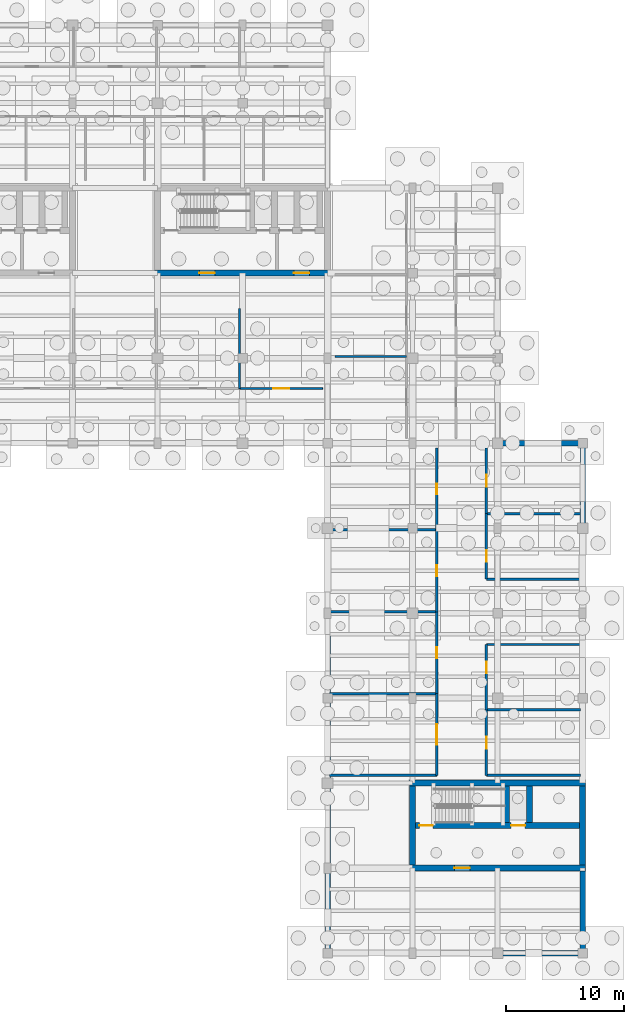
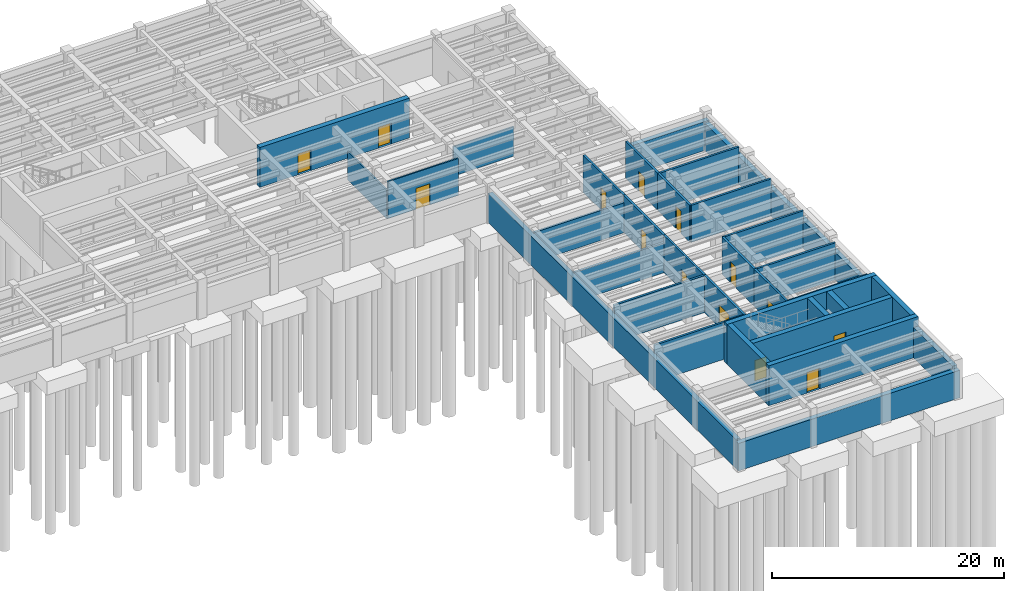
# One storey, part 15 of 22: 33 walls, 14 doors, 14 openings.
"""IFC4 building model written with IfcOpenShell, lengths in metres."""

import ifcopenshell
import ifcopenshell.guid

model = None  # the IFC model being written
_history = None  # IfcOwnerHistory: only IFC2X3 demands one
_inside = {}  # id of a spatial element -> (the spatial element, [elements in it])
_under = {}  # id of a project, library or spatial element -> (it, [spatial elements below it])
_declared = {}  # id of a project -> (the project, [libraries it declares])
_typed = {}  # id of a type object -> (the type object, [elements of that type])
_made_of = {}  # id of a material, layer set ... -> (it, [elements and type objects made of it])


def new_model(schema):
    """Start an empty IFC model of exactly this schema.

    Asked for "IFC4X3", IfcOpenShell would pick the latest addendum, in which some entities
    have other attributes; the version numbers below select the first issue.
    IFC2X3 requires an IfcOwnerHistory on every rooted entity: one is made here for all.
    """
    global model, _history
    if schema == "IFC4X3":
        model = ifcopenshell.file(schema_version=(4, 3, 0, 0))
    else:
        model = ifcopenshell.file(schema=schema)
    _inside.clear()
    _under.clear()
    _declared.clear()
    _typed.clear()
    _made_of.clear()
    _history = None
    if model.schema == "IFC2X3":
        org = make("IfcOrganization", Name="unknown")
        user = make(
            "IfcPersonAndOrganization",
            ThePerson=make("IfcPerson", FamilyName="unknown"),
            TheOrganization=org,
        )
        app = make(
            "IfcApplication",
            ApplicationDeveloper=org,
            Version="unknown",
            ApplicationFullName="unknown",
            ApplicationIdentifier="unknown",
        )
        _history = make(
            "IfcOwnerHistory",
            OwningUser=user,
            OwningApplication=app,
            ChangeAction="ADDED",
            CreationDate=0,
        )
    return model


def make(cls, **values):
    """One entity of the class cls with the attributes given. An attribute that is None is left unset."""
    return model.create_entity(
        cls, **{name: value for name, value in values.items() if value is not None}
    )


def rooted(cls, **values):
    """An entity with a GlobalId (a new one), such as an element, a storey or a relation."""
    return make(cls, GlobalId=ifcopenshell.guid.new(), OwnerHistory=_history, **values)


def si_unit(unit_type, name, prefix=None):
    """IfcSIUnit, for example si_unit("LENGTHUNIT", "METRE", prefix="MILLI")."""
    return make("IfcSIUnit", UnitType=unit_type, Prefix=prefix, Name=name)


def assignment(units):
    """IfcUnitAssignment: the units of a project."""
    return None if units is None else make("IfcUnitAssignment", Units=units)


def point(xyz):
    """IfcCartesianPoint."""
    return None if xyz is None else make("IfcCartesianPoint", Coordinates=xyz)


def direction(xyz):
    """IfcDirection."""
    return None if xyz is None else make("IfcDirection", DirectionRatios=xyz)


def frame(location, z_axis=None, x_axis=None):
    """IfcAxis2Placement3D, a coordinate frame: its origin and axes. An axis left out is left unset."""
    return make(
        "IfcAxis2Placement3D",
        Location=point(location),
        Axis=direction(z_axis),
        RefDirection=direction(x_axis),
    )


def frame_2d(location, x_axis=None):
    """IfcAxis2Placement2D, a coordinate frame in the plane: its origin and x axis."""
    return make(
        "IfcAxis2Placement2D", Location=point(location), RefDirection=direction(x_axis)
    )


def origin():
    """The frame at (0, 0, 0) with its axes left unset."""
    return frame((0.0, 0.0, 0.0))


def place(relative_to, where):
    """IfcLocalPlacement: puts the frame where relative to a parent placement (None: the world)."""
    return make(
        "IfcLocalPlacement", PlacementRelTo=relative_to, RelativePlacement=where
    )


def context(
    kind, dimensions, precision=None, world=None, true_north=None, identifier=None
):
    """IfcGeometricRepresentationContext, for example the 3D "Model" context."""
    return make(
        "IfcGeometricRepresentationContext",
        ContextIdentifier=identifier,
        ContextType=kind,
        CoordinateSpaceDimension=dimensions,
        Precision=precision,
        WorldCoordinateSystem=world,
        TrueNorth=true_north,
    )


def subcontext(parent, identifier, kind, view, scale=None):
    """IfcGeometricRepresentationSubContext, for example "Body" below "Model"."""
    return make(
        "IfcGeometricRepresentationSubContext",
        ContextIdentifier=identifier,
        ContextType=kind,
        ParentContext=parent,
        TargetScale=scale,
        TargetView=view,
    )


def project(units=None, contexts=None):
    """IfcProject with its units and contexts."""
    return rooted(
        "IfcProject",
        Name="project",
        RepresentationContexts=contexts,
        UnitsInContext=assignment(units),
    )


def spatial(cls, under=None, at=None, **own):
    """A site, building, storey or space (cls), placed at a placement, below another one or the project."""
    s = rooted(cls, ObjectPlacement=at, **own)
    if under is not None:
        _under.setdefault(under.id(), (under, []))[1].append(s)
    return s


def profile(cls, at=None, kind="AREA", **sizes):
    """A parametric profile (cls). Its sizes go by their IFC names, for example OverallWidth=200.0."""
    return make(cls, ProfileType=kind, Position=at, **sizes)


def rectangle(**sizes):
    """IfcRectangleProfileDef."""
    return profile("IfcRectangleProfileDef", **sizes)


def extrude(swept, where, along, depth):
    """IfcExtrudedAreaSolid: the profile swept, set in the frame where, extruded along a direction by depth."""
    return make(
        "IfcExtrudedAreaSolid",
        SweptArea=swept,
        Position=where,
        ExtrudedDirection=direction(along),
        Depth=depth,
    )


def shape(context_of_items, identifier, shape_type, items):
    """IfcShapeRepresentation: the items that make up one representation, for example the "Body"."""
    return make(
        "IfcShapeRepresentation",
        ContextOfItems=context_of_items,
        RepresentationIdentifier=identifier,
        RepresentationType=shape_type,
        Items=items,
    )


def material(Name=None, Category=None):
    """IfcMaterial."""
    return make("IfcMaterial", Name=Name, Category=Category)


def layer(
    of_material, thickness, ventilated=None, Name=None, Category=None, Priority=None
):
    """IfcMaterialLayer: one layer of a wall or slab, of a material (None: an air gap)."""
    return make(
        "IfcMaterialLayer",
        Material=of_material,
        LayerThickness=thickness,
        IsVentilated=ventilated,
        Name=Name,
        Category=Category,
        Priority=Priority,
    )


def layer_set(layers, Name=None):
    """IfcMaterialLayerSet."""
    return make("IfcMaterialLayerSet", MaterialLayers=layers, LayerSetName=Name)


def made_of(thing, what):
    """Note that an element or type object is made of a material, layer set ...; save() writes the relation."""
    if what is not None:
        _made_of.setdefault(what.id(), (what, []))[1].append(thing)
    return thing


def type_object(cls, material=None, **own):
    """A type object (cls), such as IfcWallType, which elements share."""
    return made_of(rooted(cls, **own), material)


def element(
    cls,
    number,
    at=None,
    inside=None,
    cuts=None,
    type_object=None,
    material=None,
    context=None,
    identifier="Body",
    shape_type=None,
    held_by="IfcProductDefinitionShape",
    body=None,
    shapes=None,
    **own,
):
    """One element of the class cls, such as IfcWall. Its Tag is "e" and its number.

    at: its placement. inside: the storey or other place that contains it. cuts: it is an
    opening in that element (IfcRelVoidsElement). A single representation is given by context,
    identifier, shape_type and body (its items); several are given by shapes. held_by: the class
    of the entity that holds the representations. save() writes the other relations.
    """
    e = rooted(cls, Tag="e%d" % number, ObjectPlacement=at, **own)
    if body is not None:
        shapes = [shape(context, identifier, shape_type, body)]
    if shapes is not None:
        e.Representation = make(held_by, Representations=shapes)
    if inside is not None:
        _inside.setdefault(inside.id(), (inside, []))[1].append(e)
    if cuts is not None:
        rooted(
            "IfcRelVoidsElement", RelatingBuildingElement=cuts, RelatedOpeningElement=e
        )
    if type_object is not None:
        _typed.setdefault(type_object.id(), (type_object, []))[1].append(e)
    return made_of(e, material)


def fill(opening, filler):
    """IfcRelFillsElement: the door or window that sits in an opening."""
    return rooted(
        "IfcRelFillsElement",
        RelatingOpeningElement=opening,
        RelatedBuildingElement=filler,
    )


def aggregate(whole, parts):
    """IfcRelAggregates: a whole, such as a stair, and the parts it consists of."""
    return rooted("IfcRelAggregates", RelatingObject=whole, RelatedObjects=parts)


def save(model, path):
    """Write the relations noted so far, then the file.

    IfcRelAggregates (storeys below a building ...), IfcRelContainedInSpatialStructure (elements
    in a storey), IfcRelDefinesByType, IfcRelAssociatesMaterial and IfcRelDeclares: one each for
    every whole, place, type object, material and project.
    """
    for whole, parts in _under.values():
        aggregate(whole, parts)
    for where, things in _inside.values():
        rooted(
            "IfcRelContainedInSpatialStructure",
            RelatedElements=things,
            RelatingStructure=where,
        )
    for kind, things in _typed.values():
        rooted("IfcRelDefinesByType", RelatedObjects=things, RelatingType=kind)
    for what, things in _made_of.values():
        rooted("IfcRelAssociatesMaterial", RelatedObjects=things, RelatingMaterial=what)
    for by, libraries in _declared.values():
        rooted("IfcRelDeclares", RelatingContext=by, RelatedDefinitions=libraries)
    model.write(path)


model = new_model("IFC4")

# Units and contexts
model_context = context("Model", 3, precision=1e-05, world=origin(), true_north=direction((0.0, 1.0)))
body_context = subcontext(model_context, "Body", "Model", "MODEL_VIEW")
ifc_project = project(units=[si_unit("LENGTHUNIT", "METRE"), si_unit("AREAUNIT", "SQUARE_METRE"), si_unit("VOLUMEUNIT", "CUBIC_METRE"), si_unit("PLANEANGLEUNIT", "RADIAN"), si_unit("MASSUNIT", "GRAM", prefix="KILO")], contexts=[model_context])

# Site, building, storey
site_placement = place(None, origin())
site = spatial("IfcSite", under=ifc_project, at=site_placement, CompositionType="ELEMENT")
building_placement = place(site_placement, origin())
building = spatial("IfcBuilding", under=site, at=building_placement, Name="Mithqara Police Headquarters", CompositionType="ELEMENT")
storey_placement = place(building_placement, frame((0.0, 0.0, -8.39990234375)))
storey = spatial("IfcBuildingStorey", under=building, at=storey_placement, Name="B2", CompositionType="ELEMENT", Elevation=-8.39990234375)

# Wall
ifc_material_1 = material(Name="Gypsum acoustic stud partition", Category="gypsum")
ifc_layer_1 = layer(ifc_material_1, 0.139892578125, Name="Gypsum acoustic stud partition")
ifc_layer_set_1 = layer_set([ifc_layer_1], Name="Gypsum acoustic stud partition")
wall_type_1 = type_object("IfcWallType", Name="PART WALL 140", PredefinedType="PARTITIONING", material=ifc_layer_set_1)
wall_1_placement = place(storey_placement, frame((137.14794921875, 83.219970703125, 0.0), z_axis=(0.0, 0.0, 1.0), x_axis=(0.0, 1.0, 0.0)))
element("IfcWall", 1, at=wall_1_placement, inside=storey, type_object=wall_type_1, Name="B2 Room Partition Standby UPS Battery Room", PredefinedType="PARTITIONING", context=body_context, shape_type="SweptSolid", body=[
    extrude(rectangle(XDim=6.780029296875, YDim=0.139892578125, at=frame_2d((3.39013671875, 0.0))), origin(), (0.0, 0.0, 1.0), 3.0),
])

# Wall, opening, door
wall_2_placement = place(storey_placement, frame((137.14794921875, 83.219970703125, 0.0), z_axis=(0.0, 0.0, 1.0), x_axis=(1.0, 0.0, 0.0)))
wall_2 = element("IfcWall", 2, at=wall_2_placement, inside=storey, type_object=wall_type_1, Name="B2 Corridor Wall Chiller Plant Room", PredefinedType="PARTITIONING", context=body_context, shape_type="SweptSolid", body=[
    extrude(rectangle(XDim=7.031982421875, YDim=0.139892578125, at=frame_2d((3.51611328125, 0.0))), origin(), (0.0, 0.0, 1.0), 3.89990234375),
])
opening_1_placement = place(wall_2_placement, frame((2.8359375, 0.0, 0.0)))
opening_1 = element("IfcOpeningElement", 3, at=opening_1_placement, cuts=wall_2, Name="Opening D-17", PredefinedType="OPENING", context=body_context, shape_type="SweptSolid", body=[
    extrude(rectangle(XDim=1.360107421875, YDim=2.219970703125, at=frame_2d((0.68017578125, 1.10986328125))), frame((0.0, 0.080078125, 0.0), z_axis=(0.0, -1.0, 0.0), x_axis=(1.0, 0.0, 0.0)), (0.0, 0.0, 1.0), 0.159912109375),
])
ifc_material_2 = material(Name="Bronze anodised aluminium 6063-T6", Category="aluminium")
door_type_1 = type_object("IfcDoorType", Name="INT DOOR 1360X2220", OperationType="NOTDEFINED", PredefinedType="DOOR", material=ifc_material_2)
door_1_placement = place(opening_1_placement, origin())
door_1 = element("IfcDoor", 4, at=door_1_placement, inside=storey, type_object=door_type_1, Name="Chiller Plant Room Entry Door", OperationType="SINGLE_SWING_RIGHT", OverallHeight=2.219970703125, OverallWidth=1.360107421875, PredefinedType="DOOR", context=body_context, shape_type="SweptSolid", body=[
    extrude(rectangle(XDim=1.360107421875, YDim=2.219970703125, at=frame_2d((0.68017578125, 1.10986328125))), frame((0.0, 0.02490234375, 0.0), z_axis=(0.0, -1.0, 0.0), x_axis=(1.0, 0.0, 0.0)), (0.0, 0.0, 1.0), 0.050048828125),
])
fill(opening_1, door_1)

# Walls
wall_3_placement = place(storey_placement, frame((145.25, 85.93994140625, 0.0), z_axis=(0.0, 0.0, 1.0), x_axis=(1.0, 0.0, 0.0)))
element("IfcWall", 5, at=wall_3_placement, inside=storey, type_object=wall_type_1, Name="B2 Room Partition Emergency Generator Plant", PredefinedType="PARTITIONING", context=body_context, shape_type="SweptSolid", body=[
    extrude(rectangle(XDim=6.030029296875, YDim=0.139892578125, at=frame_2d((3.01513671875, 0.0))), origin(), (0.0, 0.0, 1.0), 3.099853515625),
])
ifc_material_3 = material(Name="Concrete C40/50", Category="concrete")
ifc_layer_2 = layer(ifc_material_3, 0.2099609375, Name="Concrete C40/50")
ifc_layer_set_2 = layer_set([ifc_layer_2], Name="Concrete C40/50")
wall_type_2 = type_object("IfcWallType", Name="PART WALL 210", PredefinedType="PARTITIONING", material=ifc_layer_set_2)
wall_4_placement = place(storey_placement, frame((144.780029296875, 50.449951171875, 0.0), z_axis=(0.0, 0.0, 1.0), x_axis=(1.0, 0.0, 0.0)))
element("IfcWall", 6, at=wall_4_placement, inside=storey, type_object=wall_type_2, Name="B2 Partition End Closure E0", PredefinedType="PARTITIONING", context=body_context, shape_type="SweptSolid", body=[
    extrude(rectangle(XDim=9.070068359375, YDim=0.2099609375, at=frame_2d((4.53515625, 0.0))), origin(), (0.0, 0.0, 1.0), 3.89990234375),
])

# Wall, opening, door
wall_5_placement = place(storey_placement, frame((153.85009765625, 50.449951171875, 0.0), z_axis=(0.0, 0.0, 1.0), x_axis=(0.0, 1.0, 0.0)))
wall_5 = element("IfcWall", 7, at=wall_5_placement, inside=storey, type_object=wall_type_2, Name="B2 Corridor Wall Evidence Archive Vault", PredefinedType="PARTITIONING", context=body_context, shape_type="SweptSolid", body=[
    extrude(rectangle(XDim=6.93310546875, YDim=0.2099609375, at=frame_2d((3.466552734375, 0.0))), origin(), (0.0, 0.0, 1.0), 3.89990234375),
])
opening_2_placement = place(wall_5_placement, frame((2.6064453125, 0.0, 0.0)))
opening_2 = element("IfcOpeningElement", 8, at=opening_2_placement, cuts=wall_5, Name="Opening D-24", PredefinedType="OPENING", context=body_context, shape_type="SweptSolid", body=[
    extrude(rectangle(XDim=1.719970703125, YDim=2.35009765625, at=frame_2d((0.85986328125, 1.175048828125))), frame((0.0, 0.114990234375, 0.0), z_axis=(0.0, -1.0, 0.0), x_axis=(1.0, 0.0, 0.0)), (0.0, 0.0, 1.0), 0.22998046875),
])
door_type_2 = type_object("IfcDoorType", Name="INT DOOR 1720X2350", OperationType="NOTDEFINED", PredefinedType="DOOR", material=ifc_material_2)
door_2_placement = place(opening_2_placement, frame((1.719970703125, 0.0, 0.0), z_axis=(0.0, 0.0, 1.0), x_axis=(-1.0, 0.0, 0.0)))
door_2 = element("IfcDoor", 9, at=door_2_placement, inside=storey, type_object=door_type_2, Name="Evidence Archive Vault Entry Door", OperationType="DOUBLE_DOOR_SINGLE_SWING", OverallHeight=2.35009765625, OverallWidth=1.719970703125, PredefinedType="DOOR", context=body_context, shape_type="SweptSolid", body=[
    extrude(rectangle(XDim=1.719970703125, YDim=2.35009765625, at=frame_2d((0.85986328125, 1.175048828125))), frame((0.0, 0.02490234375, 0.0), z_axis=(0.0, -1.0, 0.0), x_axis=(1.0, 0.0, 0.0)), (0.0, 0.0, 1.0), 0.050048828125),
])
fill(opening_2, door_2)

# Wall
wall_6_placement = place(storey_placement, frame((144.780029296875, 57.383056640625, 0.0), z_axis=(0.0, 0.0, 1.0), x_axis=(1.0, 0.0, 0.0)))
element("IfcWall", 10, at=wall_6_placement, inside=storey, type_object=wall_type_2, Name="B2 Room Partition Evidence Archive Vault", PredefinedType="PARTITIONING", context=body_context, shape_type="SweptSolid", body=[
    extrude(rectangle(XDim=9.070068359375, YDim=0.2099609375, at=frame_2d((4.53515625, 0.0))), origin(), (0.0, 0.0, 1.0), 3.89990234375),
])

# Wall, opening, door
wall_7_placement = place(storey_placement, frame((153.85009765625, 57.383056640625, 0.0), z_axis=(0.0, 0.0, 1.0), x_axis=(0.0, 1.0, 0.0)))
wall_7 = element("IfcWall", 11, at=wall_7_placement, inside=storey, type_object=wall_type_2, Name="B2 Corridor Wall Forensic Chemical Bulk Store", PredefinedType="PARTITIONING", context=body_context, shape_type="SweptSolid", body=[
    extrude(rectangle(XDim=6.931884765625, YDim=0.2099609375, at=frame_2d((3.4658203125, 0.0))), origin(), (0.0, 0.0, 1.0), 3.89990234375),
])
opening_3_placement = place(wall_7_placement, frame((3.006103515625, 0.0, 0.0)))
opening_3 = element("IfcOpeningElement", 12, at=opening_3_placement, cuts=wall_7, Name="Opening D-01", PredefinedType="OPENING", context=body_context, shape_type="SweptSolid", body=[
    extrude(rectangle(XDim=0.919921875, YDim=2.10009765625, at=frame_2d((0.4599609375, 1.050048828125))), frame((0.0, 0.114990234375, 0.0), z_axis=(0.0, -1.0, 0.0), x_axis=(1.0, 0.0, 0.0)), (0.0, 0.0, 1.0), 0.22998046875),
])
ifc_material_4 = material(Name="Acoustic solid-core timber leaf", Category="wood")
door_type_3 = type_object("IfcDoorType", Name="INT DOOR 920X2100", OperationType="NOTDEFINED", PredefinedType="DOOR", material=ifc_material_4)
door_3_placement = place(opening_3_placement, frame((0.919921875, 0.0, 0.0), z_axis=(0.0, 0.0, 1.0), x_axis=(-1.0, 0.0, 0.0)))
door_3 = element("IfcDoor", 13, at=door_3_placement, inside=storey, type_object=door_type_3, Name="Forensic Chemical Bulk Store Entry Door", OperationType="SINGLE_SWING_RIGHT", OverallHeight=2.10009765625, OverallWidth=0.919921875, PredefinedType="DOOR", context=body_context, shape_type="SweptSolid", body=[
    extrude(rectangle(XDim=0.919921875, YDim=2.10009765625, at=frame_2d((0.4599609375, 1.050048828125))), frame((0.0, 0.02490234375, 0.0), z_axis=(0.0, -1.0, 0.0), x_axis=(1.0, 0.0, 0.0)), (0.0, 0.0, 1.0), 0.050048828125),
])
fill(opening_3, door_3)

# Wall
wall_8_placement = place(storey_placement, frame((144.780029296875, 64.31494140625, 0.0), z_axis=(0.0, 0.0, 1.0), x_axis=(1.0, 0.0, 0.0)))
element("IfcWall", 14, at=wall_8_placement, inside=storey, type_object=wall_type_2, Name="B2 Room Partition Forensic Chemical Bulk Store", PredefinedType="PARTITIONING", context=body_context, shape_type="SweptSolid", body=[
    extrude(rectangle(XDim=9.070068359375, YDim=0.2099609375, at=frame_2d((4.53515625, 0.0))), origin(), (0.0, 0.0, 1.0), 3.14990234375),
])

# Wall, opening, door
wall_9_placement = place(storey_placement, frame((153.85009765625, 64.31494140625, 0.0), z_axis=(0.0, 0.0, 1.0), x_axis=(0.0, 1.0, 0.0)))
wall_9 = element("IfcWall", 15, at=wall_9_placement, inside=storey, type_object=wall_type_2, Name="B2 Corridor Wall Laboratory Gas Cylinder Room", PredefinedType="PARTITIONING", context=body_context, shape_type="SweptSolid", body=[
    extrude(rectangle(XDim=6.93310546875, YDim=0.2099609375, at=frame_2d((3.466552734375, 0.0))), origin(), (0.0, 0.0, 1.0), 3.89990234375),
])
opening_4_placement = place(wall_9_placement, frame((3.006591796875, 0.0, 0.0)))
opening_4 = element("IfcOpeningElement", 16, at=opening_4_placement, cuts=wall_9, Name="Opening D-02", PredefinedType="OPENING", context=body_context, shape_type="SweptSolid", body=[
    extrude(rectangle(XDim=0.919921875, YDim=2.219970703125, at=frame_2d((0.4599609375, 1.10986328125))), frame((0.0, 0.114990234375, 0.0), z_axis=(0.0, -1.0, 0.0), x_axis=(1.0, 0.0, 0.0)), (0.0, 0.0, 1.0), 0.22998046875),
])
door_type_4 = type_object("IfcDoorType", Name="INT DOOR 920X2220", OperationType="NOTDEFINED", PredefinedType="DOOR", material=ifc_material_4)
door_4_placement = place(opening_4_placement, frame((0.919921875, 0.0, 0.0), z_axis=(0.0, 0.0, 1.0), x_axis=(-1.0, 0.0, 0.0)))
door_4 = element("IfcDoor", 17, at=door_4_placement, inside=storey, type_object=door_type_4, Name="Laboratory Gas Cylinder Room Entry Door", OperationType="SINGLE_SWING_LEFT", OverallHeight=2.219970703125, OverallWidth=0.919921875, PredefinedType="DOOR", context=body_context, shape_type="SweptSolid", body=[
    extrude(rectangle(XDim=0.919921875, YDim=2.219970703125, at=frame_2d((0.4599609375, 1.10986328125))), frame((0.0, 0.02490234375, 0.0), z_axis=(0.0, -1.0, 0.0), x_axis=(1.0, 0.0, 0.0)), (0.0, 0.0, 1.0), 0.050048828125),
])
fill(opening_4, door_4)

# Wall
wall_10_placement = place(storey_placement, frame((144.780029296875, 71.248046875, 0.0), z_axis=(0.0, 0.0, 1.0), x_axis=(1.0, 0.0, 0.0)))
element("IfcWall", 18, at=wall_10_placement, inside=storey, type_object=wall_type_2, Name="B2 Room Partition Laboratory Gas Cylinder Room", PredefinedType="PARTITIONING", context=body_context, shape_type="SweptSolid", body=[
    extrude(rectangle(XDim=9.070068359375, YDim=0.2099609375, at=frame_2d((4.53515625, 0.0))), origin(), (0.0, 0.0, 1.0), 3.14990234375),
])

# Wall, opening, door
wall_11_placement = place(storey_placement, frame((153.85009765625, 71.248046875, 0.0), z_axis=(0.0, 0.0, 1.0), x_axis=(0.0, 1.0, 0.0)))
wall_11 = element("IfcWall", 19, at=wall_11_placement, inside=storey, type_object=wall_type_2, Name="B2 Corridor Wall Evidence Archive Vault", PredefinedType="PARTITIONING", context=body_context, shape_type="SweptSolid", body=[
    extrude(rectangle(XDim=6.931884765625, YDim=0.2099609375, at=frame_2d((3.4658203125, 0.0))), origin(), (0.0, 0.0, 1.0), 3.89990234375),
])
opening_5_placement = place(wall_11_placement, frame((3.006103515625, 0.0, 0.0)))
opening_5 = element("IfcOpeningElement", 20, at=opening_5_placement, cuts=wall_11, Name="Opening D-03", PredefinedType="OPENING", context=body_context, shape_type="SweptSolid", body=[
    extrude(rectangle(XDim=0.919921875, YDim=2.35009765625, at=frame_2d((0.4599609375, 1.175048828125))), frame((0.0, 0.114990234375, 0.0), z_axis=(0.0, -1.0, 0.0), x_axis=(1.0, 0.0, 0.0)), (0.0, 0.0, 1.0), 0.22998046875),
])
door_type_5 = type_object("IfcDoorType", Name="INT DOOR 920X2350", OperationType="NOTDEFINED", PredefinedType="DOOR", material=ifc_material_4)
door_5_placement = place(opening_5_placement, frame((0.919921875, 0.0, 0.0), z_axis=(0.0, 0.0, 1.0), x_axis=(-1.0, 0.0, 0.0)))
door_5 = element("IfcDoor", 21, at=door_5_placement, inside=storey, type_object=door_type_5, Name="Evidence Archive Vault Entry Door", OperationType="SINGLE_SWING_RIGHT", OverallHeight=2.35009765625, OverallWidth=0.919921875, PredefinedType="DOOR", context=body_context, shape_type="SweptSolid", body=[
    extrude(rectangle(XDim=0.919921875, YDim=2.35009765625, at=frame_2d((0.4599609375, 1.175048828125))), frame((0.0, 0.02490234375, 0.0), z_axis=(0.0, -1.0, 0.0), x_axis=(1.0, 0.0, 0.0)), (0.0, 0.0, 1.0), 0.050048828125),
])
fill(opening_5, door_5)

# Wall
wall_12_placement = place(storey_placement, frame((158.050048828125, 50.449951171875, 0.0), z_axis=(0.0, 0.0, 1.0), x_axis=(1.0, 0.0, 0.0)))
element("IfcWall", 22, at=wall_12_placement, inside=storey, type_object=wall_type_2, Name="B2 Partition End Closure E0", PredefinedType="PARTITIONING", context=body_context, shape_type="SweptSolid", body=[
    extrude(rectangle(XDim=7.969970703125, YDim=0.2099609375, at=frame_2d((3.98486328125, 0.0))), origin(), (0.0, 0.0, 1.0), 3.89990234375),
])

# Wall, opening, door
wall_13_placement = place(storey_placement, frame((158.050048828125, 50.449951171875, 0.0), z_axis=(0.0, 0.0, 1.0), x_axis=(0.0, 1.0, 0.0)))
wall_13 = element("IfcWall", 23, at=wall_13_placement, inside=storey, type_object=wall_type_2, Name="B2 Corridor Wall Evidence Archive Vault", PredefinedType="PARTITIONING", context=body_context, shape_type="SweptSolid", body=[
    extrude(rectangle(XDim=5.546142578125, YDim=0.2099609375, at=frame_2d((2.77294921875, 0.0))), origin(), (0.0, 0.0, 1.0), 3.89990234375),
])
opening_6_placement = place(wall_13_placement, frame((2.282958984375, 0.0, 0.0)))
opening_6 = element("IfcOpeningElement", 24, at=opening_6_placement, cuts=wall_13, Name="Opening D-04", PredefinedType="OPENING", context=body_context, shape_type="SweptSolid", body=[
    extrude(rectangle(XDim=0.97998046875, YDim=2.10009765625, at=frame_2d((0.489990234375, 1.050048828125))), frame((0.0, 0.114990234375, 0.0), z_axis=(0.0, -1.0, 0.0), x_axis=(1.0, 0.0, 0.0)), (0.0, 0.0, 1.0), 0.22998046875),
])
door_type_6 = type_object("IfcDoorType", Name="INT DOOR 980X2100", OperationType="NOTDEFINED", PredefinedType="DOOR", material=ifc_material_4)
door_6_placement = place(opening_6_placement, origin())
door_6 = element("IfcDoor", 25, at=door_6_placement, inside=storey, type_object=door_type_6, Name="Evidence Archive Vault Entry Door", OperationType="SINGLE_SWING_LEFT", OverallHeight=2.10009765625, OverallWidth=0.97998046875, PredefinedType="DOOR", context=body_context, shape_type="SweptSolid", body=[
    extrude(rectangle(XDim=0.97998046875, YDim=2.10009765625, at=frame_2d((0.489990234375, 1.050048828125))), frame((0.0, 0.02490234375, 0.0), z_axis=(0.0, -1.0, 0.0), x_axis=(1.0, 0.0, 0.0)), (0.0, 0.0, 1.0), 0.050048828125),
])
fill(opening_6, door_6)

# Wall
wall_14_placement = place(storey_placement, frame((158.050048828125, 55.99609375, 0.0), z_axis=(0.0, 0.0, 1.0), x_axis=(1.0, 0.0, 0.0)))
element("IfcWall", 26, at=wall_14_placement, inside=storey, type_object=wall_type_2, Name="B2 Room Partition Evidence Archive Vault", PredefinedType="PARTITIONING", context=body_context, shape_type="SweptSolid", body=[
    extrude(rectangle(XDim=7.969970703125, YDim=0.2099609375, at=frame_2d((3.98486328125, 0.0))), origin(), (0.0, 0.0, 1.0), 3.89990234375),
])

# Wall, opening, door
wall_15_placement = place(storey_placement, frame((158.050048828125, 55.99609375, 0.0), z_axis=(0.0, 0.0, 1.0), x_axis=(0.0, 1.0, 0.0)))
wall_15 = element("IfcWall", 27, at=wall_15_placement, inside=storey, type_object=wall_type_2, Name="B2 Corridor Wall Forensic Chemical Bulk Store", PredefinedType="PARTITIONING", context=body_context, shape_type="SweptSolid", body=[
    extrude(rectangle(XDim=5.5458984375, YDim=0.2099609375, at=frame_2d((2.77294921875, 0.0))), origin(), (0.0, 0.0, 1.0), 3.89990234375),
])
opening_7_placement = place(wall_15_placement, frame((3.114990234375, 0.0, 0.0)))
opening_7 = element("IfcOpeningElement", 28, at=opening_7_placement, cuts=wall_15, Name="Opening D-05", PredefinedType="OPENING", context=body_context, shape_type="SweptSolid", body=[
    extrude(rectangle(XDim=0.97998046875, YDim=2.219970703125, at=frame_2d((0.489990234375, 1.10986328125))), frame((0.0, 0.114990234375, 0.0), z_axis=(0.0, -1.0, 0.0), x_axis=(1.0, 0.0, 0.0)), (0.0, 0.0, 1.0), 0.22998046875),
])
door_type_7 = type_object("IfcDoorType", Name="INT DOOR 980X2220", OperationType="NOTDEFINED", PredefinedType="DOOR", material=ifc_material_4)
door_7_placement = place(opening_7_placement, origin())
door_7 = element("IfcDoor", 29, at=door_7_placement, inside=storey, type_object=door_type_7, Name="Forensic Chemical Bulk Store Entry Door", OperationType="SINGLE_SWING_RIGHT", OverallHeight=2.219970703125, OverallWidth=0.97998046875, PredefinedType="DOOR", context=body_context, shape_type="SweptSolid", body=[
    extrude(rectangle(XDim=0.97998046875, YDim=2.219970703125, at=frame_2d((0.489990234375, 1.10986328125))), frame((0.0, 0.02490234375, 0.0), z_axis=(0.0, -1.0, 0.0), x_axis=(1.0, 0.0, 0.0)), (0.0, 0.0, 1.0), 0.050048828125),
])
fill(opening_7, door_7)

# Walls
for number, where, z_axis, x_axis, name in (
    (30, (158.050048828125, 61.5419921875, 0.0), (0.0, 0.0, 1.0), (1.0, 0.0, 0.0), "B2 Room Partition Forensic Chemical Bulk Store"),
    (31, (158.050048828125, 67.087890625, 0.0), (0.0, 0.0, 1.0), (1.0, 0.0, 0.0), "B2 Room Partition Laboratory Gas Cylinder Room"),
):
    element("IfcWall", number, at=place(storey_placement, frame(where, z_axis=z_axis, x_axis=x_axis)), inside=storey, type_object=wall_type_2, Name=name, PredefinedType="PARTITIONING", context=body_context, shape_type="SweptSolid", body=[
        extrude(rectangle(XDim=7.969970703125, YDim=0.2099609375, at=frame_2d((3.98486328125, 0.0))), origin(), (0.0, 0.0, 1.0), 3.89990234375),
    ])

# Wall, opening, door
wall_16_placement = place(storey_placement, frame((158.050048828125, 67.087890625, 0.0), z_axis=(0.0, 0.0, 1.0), x_axis=(0.0, 1.0, 0.0)))
wall_16 = element("IfcWall", 32, at=wall_16_placement, inside=storey, type_object=wall_type_2, Name="B2 Corridor Wall Accessible WC", PredefinedType="PARTITIONING", context=body_context, shape_type="SweptSolid", body=[
    extrude(rectangle(XDim=5.546142578125, YDim=0.2099609375, at=frame_2d((2.77294921875, 0.0))), origin(), (0.0, 0.0, 1.0), 3.89990234375),
])
opening_8_placement = place(wall_16_placement, frame((1.451171875, 0.0, 0.0)))
opening_8 = element("IfcOpeningElement", 33, at=opening_8_placement, cuts=wall_16, Name="Opening D-06", PredefinedType="OPENING", context=body_context, shape_type="SweptSolid", body=[
    extrude(rectangle(XDim=0.97998046875, YDim=2.35009765625, at=frame_2d((0.489990234375, 1.175048828125))), frame((0.0, 0.114990234375, 0.0), z_axis=(0.0, -1.0, 0.0), x_axis=(1.0, 0.0, 0.0)), (0.0, 0.0, 1.0), 0.22998046875),
])
door_type_8 = type_object("IfcDoorType", Name="INT DOOR 980X2350", OperationType="NOTDEFINED", PredefinedType="DOOR", material=ifc_material_4)
door_8_placement = place(opening_8_placement, origin())
door_8 = element("IfcDoor", 34, at=door_8_placement, inside=storey, type_object=door_type_8, Name="Accessible WC Entry Door", OperationType="SINGLE_SWING_LEFT", OverallHeight=2.35009765625, OverallWidth=0.97998046875, PredefinedType="DOOR", context=body_context, shape_type="SweptSolid", body=[
    extrude(rectangle(XDim=0.97998046875, YDim=2.35009765625, at=frame_2d((0.489990234375, 1.175048828125))), frame((0.0, 0.02490234375, 0.0), z_axis=(0.0, -1.0, 0.0), x_axis=(1.0, 0.0, 0.0)), (0.0, 0.0, 1.0), 0.050048828125),
])
fill(opening_8, door_8)

# Wall
wall_17_placement = place(storey_placement, frame((158.050048828125, 72.634033203125, 0.0), z_axis=(0.0, 0.0, 1.0), x_axis=(1.0, 0.0, 0.0)))
element("IfcWall", 35, at=wall_17_placement, inside=storey, type_object=wall_type_2, Name="B2 Room Partition Accessible WC", PredefinedType="PARTITIONING", context=body_context, shape_type="SweptSolid", body=[
    extrude(rectangle(XDim=7.969970703125, YDim=0.2099609375, at=frame_2d((3.98486328125, 0.0))), origin(), (0.0, 0.0, 1.0), 3.89990234375),
])

# Wall, opening, door
wall_18_placement = place(storey_placement, frame((158.050048828125, 72.634033203125, 0.0), z_axis=(0.0, 0.0, 1.0), x_axis=(0.0, 1.0, 0.0)))
wall_18 = element("IfcWall", 36, at=wall_18_placement, inside=storey, type_object=wall_type_2, Name="B2 Corridor Wall Evidence Archive Vault", PredefinedType="PARTITIONING", context=body_context, shape_type="SweptSolid", body=[
    extrude(rectangle(XDim=5.5458984375, YDim=0.2099609375, at=frame_2d((2.77294921875, 0.0))), origin(), (0.0, 0.0, 1.0), 3.89990234375),
])
opening_9_placement = place(wall_18_placement, frame((2.2529296875, 0.0, 0.0)))
opening_9 = element("IfcOpeningElement", 37, at=opening_9_placement, cuts=wall_18, Name="Opening D-07", PredefinedType="OPENING", context=body_context, shape_type="SweptSolid", body=[
    extrude(rectangle(XDim=1.0400390625, YDim=2.10009765625, at=frame_2d((0.52001953125, 1.050048828125))), frame((0.0, 0.114990234375, 0.0), z_axis=(0.0, -1.0, 0.0), x_axis=(1.0, 0.0, 0.0)), (0.0, 0.0, 1.0), 0.22998046875),
])
door_type_9 = type_object("IfcDoorType", Name="INT DOOR 1040X2100", OperationType="NOTDEFINED", PredefinedType="DOOR", material=ifc_material_4)
door_9_placement = place(opening_9_placement, origin())
door_9 = element("IfcDoor", 38, at=door_9_placement, inside=storey, type_object=door_type_9, Name="Evidence Archive Vault Entry Door", OperationType="SINGLE_SWING_RIGHT", OverallHeight=2.10009765625, OverallWidth=1.0400390625, PredefinedType="DOOR", context=body_context, shape_type="SweptSolid", body=[
    extrude(rectangle(XDim=1.0400390625, YDim=2.10009765625, at=frame_2d((0.52001953125, 1.050048828125))), frame((0.0, 0.02490234375, 0.0), z_axis=(0.0, -1.0, 0.0), x_axis=(1.0, 0.0, 0.0)), (0.0, 0.0, 1.0), 0.050048828125),
])
fill(opening_9, door_9)

# Walls
ifc_layer_3 = layer(ifc_material_3, 0.4599609375, Name="Concrete C40/50")
ifc_layer_set_3 = layer_set([ifc_layer_3], Name="Concrete C40/50")
wall_type_3 = type_object("IfcWallType", Name="RETAINING WALL 460", PredefinedType="USERDEFINED", material=ifc_layer_set_3)
wall_19_placement = place(storey_placement, frame((158.77001953125, 78.60009765625, 0.0), z_axis=(0.0, 0.0, 1.0), x_axis=(1.0, 0.0, 0.0)))
element("IfcWall", 39, at=wall_19_placement, inside=storey, type_object=wall_type_3, Name="B2 Perimeter Retaining Wall 11", ObjectType="RETAININGWALL", PredefinedType="USERDEFINED", context=body_context, shape_type="SweptSolid", body=[
    extrude(rectangle(XDim=7.659912109375, YDim=0.4599609375, at=frame_2d((3.830078125, 0.0))), origin(), (0.0, 0.0, 1.0), 3.0498046875),
])
wall_20_placement = place(storey_placement, frame((166.199951171875, 78.3798828125, 0.0), z_axis=(0.0, 0.0, 1.0), x_axis=(0.0, -1.0, 0.0)))
element("IfcWall", 40, at=wall_20_placement, inside=storey, type_object=wall_type_3, Name="B2 Perimeter Retaining Wall 12", ObjectType="RETAININGWALL", PredefinedType="USERDEFINED", context=body_context, shape_type="SweptSolid", body=[
    extrude(rectangle(XDim=28.349853515625, YDim=0.4599609375, at=frame_2d((14.1748046875, 0.0))), origin(), (0.0, 0.0, 1.0), 2.89990234375),
])
wall_21_placement = place(storey_placement, frame((166.199951171875, 42.3701171875, 0.0), z_axis=(0.0, 0.0, 1.0), x_axis=(0.0, -1.0, 0.0)))
element("IfcWall", 41, at=wall_21_placement, inside=storey, type_object=wall_type_3, Name="B2 Perimeter Retaining Wall 13", ObjectType="RETAININGWALL", PredefinedType="USERDEFINED", context=body_context, shape_type="SweptSolid", body=[
    extrude(rectangle(XDim=6.75, YDim=0.4599609375, at=frame_2d((3.375, 0.0))), origin(), (0.0, 0.0, 1.0), 3.199951171875),
])
wall_22_placement = place(storey_placement, frame((166.429931640625, 35.39990234375, 0.0), z_axis=(0.0, 0.0, 1.0), x_axis=(-1.0, 0.0, 0.0)))
element("IfcWall", 42, at=wall_22_placement, inside=storey, type_object=wall_type_3, Name="B2 Perimeter Retaining Wall 14", ObjectType="RETAININGWALL", PredefinedType="USERDEFINED", context=body_context, shape_type="SweptSolid", body=[
    extrude(rectangle(XDim=22.059814453125, YDim=0.4599609375, at=frame_2d((11.02978515625, 0.0))), origin(), (0.0, 0.0, 1.0), 2.89990234375),
])
wall_23_placement = place(storey_placement, frame((144.60009765625, 35.6201171875, 0.0), z_axis=(0.0, 0.0, 1.0), x_axis=(0.0, 1.0, 0.0)))
element("IfcWall", 43, at=wall_23_placement, inside=storey, type_object=wall_type_3, Name="B2 Perimeter Retaining Wall 15", ObjectType="RETAININGWALL", PredefinedType="USERDEFINED", context=body_context, shape_type="SweptSolid", body=[
    extrude(rectangle(XDim=42.759765625, YDim=0.4599609375, at=frame_2d((21.3798828125, 0.0))), origin(), (0.0, 0.0, 1.0), 3.0498046875),
])

# Wall, openings, doors
ifc_material_5 = material(Name="Concrete C50/60", Category="concrete")
ifc_layer_4 = layer(ifc_material_5, 0.5, Name="Concrete C50/60")
ifc_layer_set_4 = layer_set([ifc_layer_4], Name="Concrete C50/60")
wall_type_4 = type_object("IfcWallType", Name="SHEAR WALL 500", PredefinedType="SHEAR", material=ifc_layer_set_4)
wall_24_placement = place(storey_placement, frame((129.949951171875, 93.0, 0.0), z_axis=(0.0, 0.0, 1.0), x_axis=(1.0, 0.0, 0.0)))
wall_24 = element("IfcWall", 44, at=wall_24_placement, inside=storey, type_object=wall_type_4, Name="Core C2 Command East Shear Wall S", PredefinedType="SHEAR", context=body_context, shape_type="SweptSolid", body=[
    extrude(rectangle(XDim=14.900146484375, YDim=0.5, at=frame_2d((7.4501953125, 0.0))), origin(), (0.0, 0.0, 1.0), 4.199951171875),
])
opening_10_placement = place(wall_24_placement, frame((3.800048828125, 0.0, 0.0)))
opening_10 = element("IfcOpeningElement", 45, at=opening_10_placement, cuts=wall_24, Name="Opening FD-02", PredefinedType="OPENING", context=body_context, shape_type="SweptSolid", body=[
    extrude(rectangle(XDim=1.300048828125, YDim=2.199951171875, at=frame_2d((0.64990234375, 1.10009765625))), frame((0.0, 0.260009765625, 0.0), z_axis=(0.0, -1.0, 0.0), x_axis=(1.0, 0.0, 0.0)), (0.0, 0.0, 1.0), 0.52001953125),
])
opening_11_placement = place(wall_24_placement, frame((11.800048828125, 0.0, 0.0)))
opening_11 = element("IfcOpeningElement", 46, at=opening_11_placement, cuts=wall_24, Name="Opening FD-02", PredefinedType="OPENING", context=body_context, shape_type="SweptSolid", body=[
    extrude(rectangle(XDim=1.300048828125, YDim=2.199951171875, at=frame_2d((0.64990234375, 1.10009765625))), frame((0.0, 0.260009765625, 0.0), z_axis=(0.0, -1.0, 0.0), x_axis=(1.0, 0.0, 0.0)), (0.0, 0.0, 1.0), 0.52001953125),
])
ifc_material_6 = material(Name="Steel S355JR", Category="steel")
door_type_10 = type_object("IfcDoorType", Name="CORE DOOR LOBBY 1300X2200", OperationType="NOTDEFINED", PredefinedType="DOOR", material=ifc_material_6)
door_10_placement = place(opening_10_placement, frame((1.300048828125, 0.0, 0.0), z_axis=(0.0, 0.0, 1.0), x_axis=(-1.0, 0.0, 0.0)))
door_10 = element("IfcDoor", 47, at=door_10_placement, inside=storey, type_object=door_type_10, Name="Core C2 Command East FF Lobby Fire Door B2", OperationType="SINGLE_SWING_LEFT", OverallHeight=2.199951171875, OverallWidth=1.300048828125, PredefinedType="DOOR", context=body_context, shape_type="SweptSolid", body=[
    extrude(rectangle(XDim=1.300048828125, YDim=2.199951171875, at=frame_2d((0.64990234375, 1.10009765625))), frame((0.0, 0.02490234375, 0.0), z_axis=(0.0, -1.0, 0.0), x_axis=(1.0, 0.0, 0.0)), (0.0, 0.0, 1.0), 0.050048828125),
])
fill(opening_10, door_10)
door_11_placement = place(opening_11_placement, frame((1.300048828125, 0.0, 0.0), z_axis=(0.0, 0.0, 1.0), x_axis=(-1.0, 0.0, 0.0)))
door_11 = element("IfcDoor", 48, at=door_11_placement, inside=storey, type_object=door_type_10, Name="Core C2 Command East PA Lobby Fire Door B2", OperationType="SINGLE_SWING_RIGHT", OverallHeight=2.199951171875, OverallWidth=1.300048828125, PredefinedType="DOOR", context=body_context, shape_type="SweptSolid", body=[
    extrude(rectangle(XDim=1.300048828125, YDim=2.199951171875, at=frame_2d((0.64990234375, 1.10009765625))), frame((0.0, 0.02490234375, 0.0), z_axis=(0.0, -1.0, 0.0), x_axis=(1.0, 0.0, 0.0)), (0.0, 0.0, 1.0), 0.050048828125),
])
fill(opening_11, door_11)

# Wall
wall_25_placement = place(storey_placement, frame((151.550048828125, 49.800048828125, 0.0), z_axis=(0.0, 0.0, 1.0), x_axis=(1.0, 0.0, 0.0)))
element("IfcWall", 49, at=wall_25_placement, inside=storey, type_object=wall_type_4, Name="Core C4 Forensics East Shear Wall N", PredefinedType="SHEAR", context=body_context, shape_type="SweptSolid", body=[
    extrude(rectangle(XDim=14.89990234375, YDim=0.5, at=frame_2d((7.449951171875, 0.0))), origin(), (0.0, 0.0, 1.0), 4.199951171875),
])

# Wall, opening, door
wall_26_placement = place(storey_placement, frame((151.550048828125, 42.60009765625, 0.0), z_axis=(0.0, 0.0, 1.0), x_axis=(1.0, 0.0, 0.0)))
wall_26 = element("IfcWall", 50, at=wall_26_placement, inside=storey, type_object=wall_type_4, Name="Core C4 Forensics East Shear Wall S", PredefinedType="SHEAR", context=body_context, shape_type="SweptSolid", body=[
    extrude(rectangle(XDim=14.89990234375, YDim=0.5, at=frame_2d((7.449951171875, 0.0))), origin(), (0.0, 0.0, 1.0), 4.199951171875),
])
opening_12_placement = place(wall_26_placement, frame((3.800048828125, 0.0, 0.0)))
opening_12 = element("IfcOpeningElement", 51, at=opening_12_placement, cuts=wall_26, Name="Opening FD-02", PredefinedType="OPENING", context=body_context, shape_type="SweptSolid", body=[
    extrude(rectangle(XDim=1.300048828125, YDim=2.199951171875, at=frame_2d((0.64990234375, 1.10009765625))), frame((0.0, 0.260009765625, 0.0), z_axis=(0.0, -1.0, 0.0), x_axis=(1.0, 0.0, 0.0)), (0.0, 0.0, 1.0), 0.52001953125),
])
door_12_placement = place(opening_12_placement, frame((1.300048828125, 0.0, 0.0), z_axis=(0.0, 0.0, 1.0), x_axis=(-1.0, 0.0, 0.0)))
door_12 = element("IfcDoor", 52, at=door_12_placement, inside=storey, type_object=door_type_10, Name="Core C4 Forensics East Lobby Fire Door B2", OperationType="SINGLE_SWING_RIGHT", OverallHeight=2.199951171875, OverallWidth=1.300048828125, PredefinedType="DOOR", context=body_context, shape_type="SweptSolid", body=[
    extrude(rectangle(XDim=1.300048828125, YDim=2.199951171875, at=frame_2d((0.64990234375, 1.10009765625))), frame((0.0, 0.02490234375, 0.0), z_axis=(0.0, -1.0, 0.0), x_axis=(1.0, 0.0, 0.0)), (0.0, 0.0, 1.0), 0.050048828125),
])
fill(opening_12, door_12)

# Walls
for number, where, z_axis, x_axis, name in (
    (53, (151.800048828125, 42.860107421875, 0.0), (0.0, 0.0, 1.0), (0.0, 1.0, 0.0), "Core C4 Forensics East Shear Wall W"),
    (54, (166.199951171875, 42.860107421875, 0.0), (0.0, 0.0, 1.0), (0.0, 1.0, 0.0), "Core C4 Forensics East Shear Wall E"),
):
    element("IfcWall", number, at=place(storey_placement, frame(where, z_axis=z_axis, x_axis=x_axis)), inside=storey, type_object=wall_type_4, Name=name, PredefinedType="SHEAR", context=body_context, shape_type="SweptSolid", body=[
        extrude(rectangle(XDim=6.679931640625, YDim=0.5, at=frame_2d((3.33984375, 0.0))), origin(), (0.0, 0.0, 1.0), 4.199951171875),
    ])

# Wall, openings, doors
wall_27_placement = place(storey_placement, frame((152.06005859375, 46.219970703125, 0.0), z_axis=(0.0, 0.0, 1.0), x_axis=(1.0, 0.0, 0.0)))
wall_27 = element("IfcWall", 55, at=wall_27_placement, inside=storey, type_object=wall_type_4, Name="Core C4 Forensics East Shear Wall M", PredefinedType="SHEAR", context=body_context, shape_type="SweptSolid", body=[
    extrude(rectangle(XDim=13.8798828125, YDim=0.5, at=frame_2d((6.93994140625, 0.0))), origin(), (0.0, 0.0, 1.0), 4.199951171875),
])
opening_13_placement = place(wall_27_placement, frame((8.080078125, 0.0, 0.0)))
opening_13 = element("IfcOpeningElement", 56, at=opening_13_placement, cuts=wall_27, Name="Opening LD-02", PredefinedType="OPENING", context=body_context, shape_type="SweptSolid", body=[
    extrude(rectangle(XDim=1.199951171875, YDim=2.14990234375, at=frame_2d((0.60009765625, 1.074951171875))), frame((0.0, 0.260009765625, 0.0), z_axis=(0.0, -1.0, 0.0), x_axis=(1.0, 0.0, 0.0)), (0.0, 0.0, 1.0), 0.52001953125),
])
opening_14_placement = place(wall_27_placement, frame((0.31494140625, 0.0, 0.0)))
opening_14 = element("IfcOpeningElement", 57, at=opening_14_placement, cuts=wall_27, Name="Opening FD-01", PredefinedType="OPENING", context=body_context, shape_type="SweptSolid", body=[
    extrude(rectangle(XDim=1.14990234375, YDim=2.14990234375, at=frame_2d((0.574951171875, 1.074951171875))), frame((0.0, 0.260009765625, 0.0), z_axis=(0.0, -1.0, 0.0), x_axis=(1.0, 0.0, 0.0)), (0.0, 0.0, 1.0), 0.52001953125),
])
door_type_11 = type_object("IfcDoorType", Name="CORE DOOR STAIR 1150X2150", OperationType="NOTDEFINED", PredefinedType="DOOR", material=ifc_material_6)
door_13_placement = place(opening_14_placement, origin())
door_13 = element("IfcDoor", 58, at=door_13_placement, inside=storey, type_object=door_type_11, Name="Stair ST-04 Fire Door B2", OperationType="SINGLE_SWING_RIGHT", OverallHeight=2.14990234375, OverallWidth=1.14990234375, PredefinedType="DOOR", context=body_context, shape_type="SweptSolid", body=[
    extrude(rectangle(XDim=1.14990234375, YDim=2.14990234375, at=frame_2d((0.574951171875, 1.074951171875))), frame((0.0, 0.02490234375, 0.0), z_axis=(0.0, -1.0, 0.0), x_axis=(1.0, 0.0, 0.0)), (0.0, 0.0, 1.0), 0.050048828125),
])
fill(opening_14, door_13)
door_type_12 = type_object("IfcDoorType", Name="LIFT DOOR 1200X2150", OperationType="DOUBLE_DOOR_SLIDING", PredefinedType="DOOR", material=ifc_material_6)
door_14_placement = place(opening_13_placement, frame((1.199951171875, 0.0, 0.0), z_axis=(0.0, 0.0, 1.0), x_axis=(-1.0, 0.0, 0.0)))
door_14 = element("IfcDoor", 59, at=door_14_placement, inside=storey, type_object=door_type_12, Name="Lift Landing Door LP-06-B2", OperationType="DOUBLE_DOOR_SLIDING", OverallHeight=2.14990234375, OverallWidth=1.199951171875, PredefinedType="DOOR", context=body_context, shape_type="SweptSolid", body=[
    extrude(rectangle(XDim=1.199951171875, YDim=2.14990234375, at=frame_2d((0.60009765625, 1.074951171875))), frame((0.0, 0.02490234375, 0.0), z_axis=(0.0, -1.0, 0.0), x_axis=(1.0, 0.0, 0.0)), (0.0, 0.0, 1.0), 0.050048828125),
])
fill(opening_13, door_14)

# Walls
for number, where, z_axis, x_axis, name in (
    (60, (159.780029296875, 46.47998046875, 0.0), (0.0, 0.0, 1.0), (0.0, 1.0, 0.0), "Core C4 Forensics East Shear Wall X"),
    (61, (161.699951171875, 46.47998046875, 0.0), (0.0, 0.0, 1.0), (0.0, 1.0, 0.0), "Core C4 Forensics East Shear Wall L1"),
):
    element("IfcWall", number, at=place(storey_placement, frame(where, z_axis=z_axis, x_axis=x_axis)), inside=storey, type_object=wall_type_4, Name=name, PredefinedType="SHEAR", context=body_context, shape_type="SweptSolid", body=[
        extrude(rectangle(XDim=3.06005859375, YDim=0.5, at=frame_2d((1.530029296875, 0.0))), origin(), (0.0, 0.0, 1.0), 4.199951171875),
    ])

save(model, "model.ifc")
